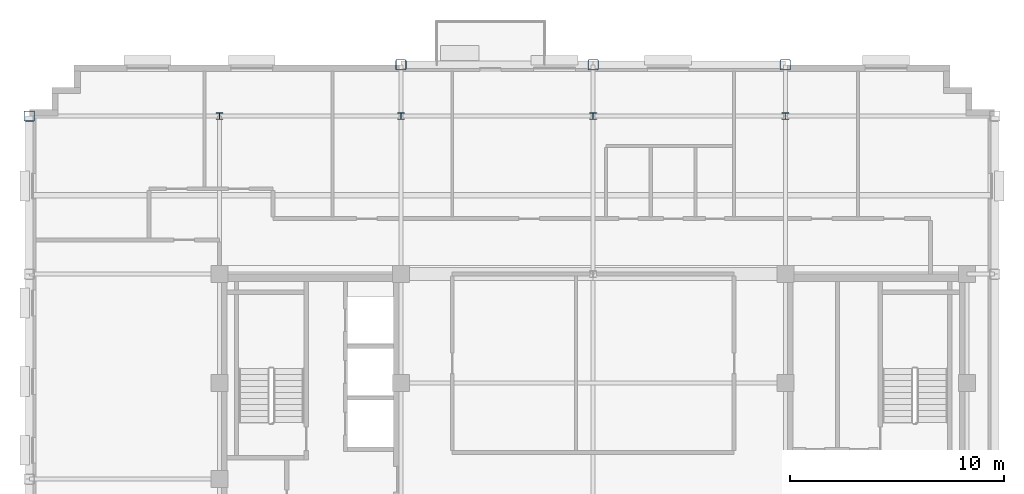
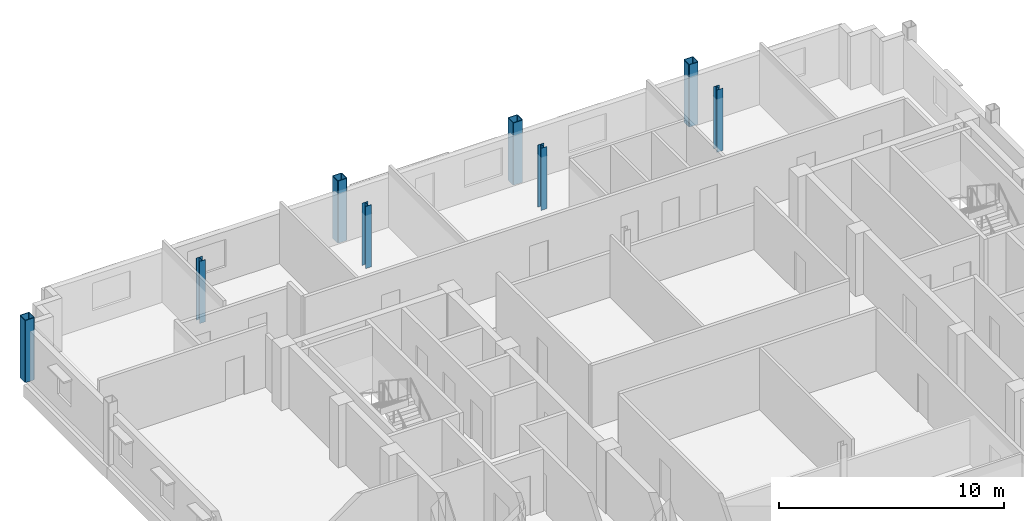
# One storey, part 3 of 13: 8 columns.
"""IFC4 building model written with IfcOpenShell, lengths in metres."""

from ifc_helpers import new_model, si_unit, direction, frame, origin, origin_2d, place, context, subcontext, project, spatial, hollow_rectangle, i_section, extrude, material, material_profile, profile_set, type_object, element, save


model = new_model("IFC4")

# Units and contexts
model_context = context("Model", 3, precision=1e-05, world=origin(), true_north=direction((0.0, 1.0)))
body_context = subcontext(model_context, "Body", "Model", "MODEL_VIEW")
ifc_project = project(units=[si_unit("LENGTHUNIT", "METRE"), si_unit("AREAUNIT", "SQUARE_METRE"), si_unit("VOLUMEUNIT", "CUBIC_METRE"), si_unit("PLANEANGLEUNIT", "RADIAN"), si_unit("MASSUNIT", "GRAM", prefix="KILO")], contexts=[model_context])

# Site, building, storey
site_placement = place(None, origin())
site = spatial("IfcSite", under=ifc_project, at=site_placement, CompositionType="ELEMENT")
building_placement = place(site_placement, origin())
building = spatial("IfcBuilding", under=site, at=building_placement, Name="Nuvemarco Arch Tower", CompositionType="ELEMENT")
storey_placement = place(building_placement, frame((0.0, 0.0, 234.699951171875)))
storey = spatial("IfcBuildingStorey", under=building, at=storey_placement, Name="L62", CompositionType="ELEMENT", Elevation=234.699951171875)

# Columns
ifc_material = material(Name="Steel S355", Category="steel")
ifc_material_profile_1 = material_profile(ifc_material, hollow_rectangle(XDim=0.5, YDim=0.5, WallThickness=0.031982421875, InnerFilletRadius=0.031982421875, OuterFilletRadius=0.06396484375, at=origin_2d()), Name="SHS500x500x32")
ifc_profile_set_1 = profile_set([ifc_material_profile_1], Name="Steel S355")
column_type_1 = type_object("IfcColumnType", Name="COL-EXO-500", PredefinedType="COLUMN", material=ifc_profile_set_1)
for number, where, z_axis, x_axis, name in (
    (1, (-26.39990234375, 17.0, 0.0), (0.0, 0.0, 1.0), (1.0, 0.0, 0.0), "L62 column CX_-26.4_+17.0"),
    (2, (-9.0, 19.39990234375, 0.0), (0.0, 0.0, 1.0), (1.0, 0.0, 0.0), "L62 column CY_-9.0_+19.4"),
    (3, (0.0, 19.39990234375, 0.0), (0.0, 0.0, 1.0), (1.0, 0.0, 0.0), "L62 column CY_+0.0_+19.4"),
    (4, (9.0, 19.39990234375, 0.0), (0.0, 0.0, 1.0), (1.0, 0.0, 0.0), "L62 column CY_+9.0_+19.4"),
):
    element("IfcColumn", number, at=place(storey_placement, frame(where, z_axis=z_axis, x_axis=x_axis)), inside=storey, type_object=column_type_1, Name=name, PredefinedType="COLUMN", context=body_context, shape_type="SweptSolid", body=[
        extrude(hollow_rectangle(XDim=0.5, YDim=0.5, WallThickness=0.031982421875, InnerFilletRadius=0.031982421875, OuterFilletRadius=0.06396484375, at=origin_2d()), origin(), (0.0, 0.0, 1.0), 3.3701171875),
    ])
ifc_material_profile_2 = material_profile(ifc_material, i_section(OverallWidth=0.31005859375, OverallDepth=0.31005859375, WebThickness=0.015380859375, FlangeThickness=0.015380859375, FilletRadius=0.014892578125, at=origin_2d()), Name="HP310x110")
ifc_profile_set_2 = profile_set([ifc_material_profile_2], Name="Steel S355")
column_type_2 = type_object("IfcColumnType", Name="COL-STL-HP310", PredefinedType="COLUMN", material=ifc_profile_set_2)
for number, where, z_axis, x_axis, name in (
    (5, (0.0, 17.0, 0.0), (0.0, 0.0, 1.0), (1.0, 0.0, 0.0), "L62 column CI_+0.0_+17.0"),
    (6, (-17.5, 17.0, 0.0), (0.0, 0.0, 1.0), (1.0, 0.0, 0.0), "L62 column CI_-17.5_+17.0"),
    (7, (-9.0, 17.0, 0.0), (0.0, 0.0, 1.0), (1.0, 0.0, 0.0), "L62 column CI_-9.0_+17.0"),
    (8, (9.0, 17.0, 0.0), (0.0, 0.0, 1.0), (1.0, 0.0, 0.0), "L62 column CI_+9.0_+17.0"),
):
    element("IfcColumn", number, at=place(storey_placement, frame(where, z_axis=z_axis, x_axis=x_axis)), inside=storey, type_object=column_type_2, Name=name, PredefinedType="COLUMN", context=body_context, shape_type="SweptSolid", body=[
        extrude(i_section(OverallWidth=0.31005859375, OverallDepth=0.31005859375, WebThickness=0.015380859375, FlangeThickness=0.015380859375, FilletRadius=0.014892578125, at=origin_2d()), origin(), (0.0, 0.0, 1.0), 3.3701171875),
    ])

save(model, "model.ifc")
